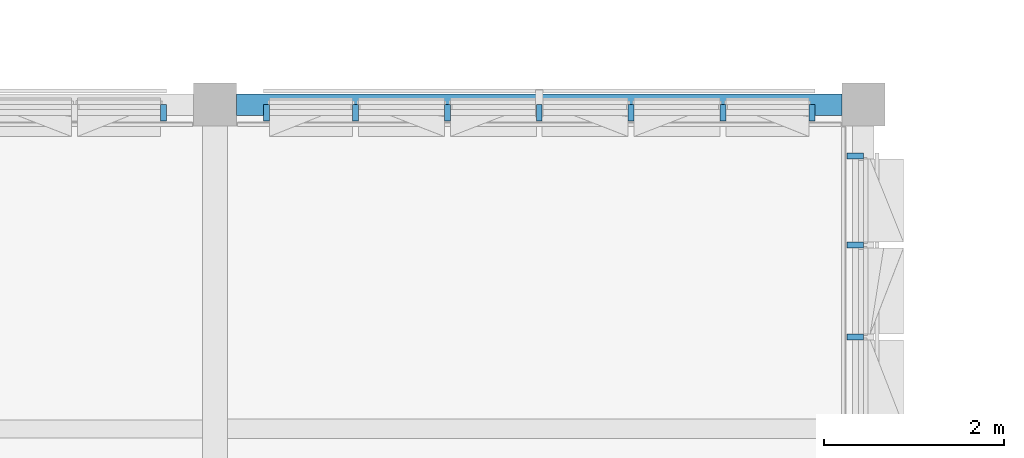
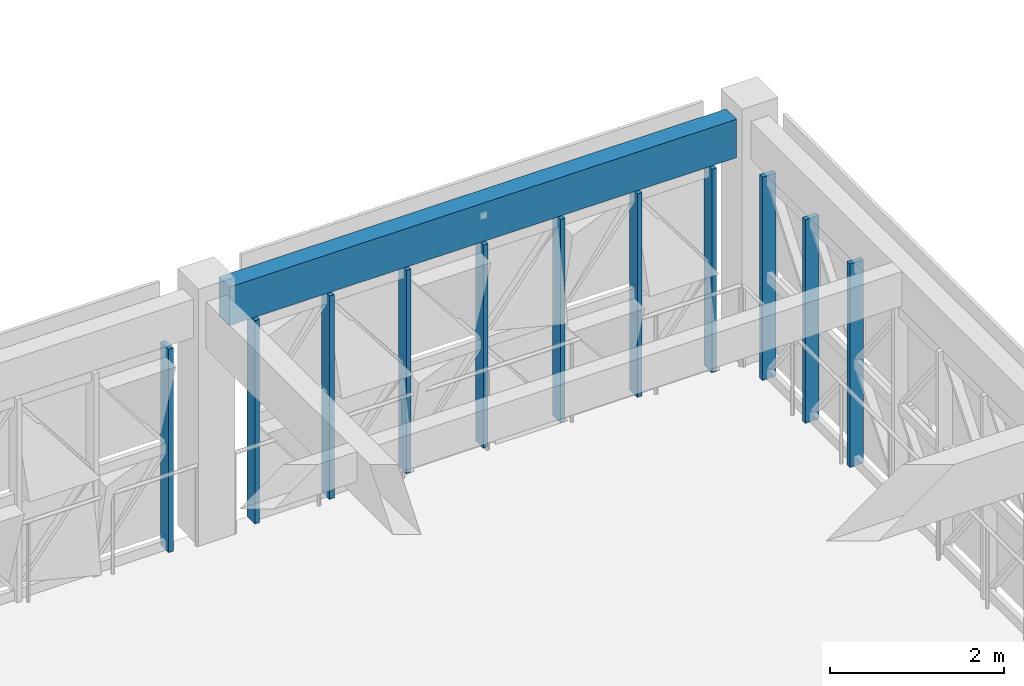
# One storey, part 11 of 48: 11 members, 1 beam, 3 elements without a shape of their own.
"""IFC4 building model written with IfcOpenShell, lengths in metres."""

from ifc_helpers import new_model, si_unit, direction, frame, origin, origin_2d, place, context, subcontext, project, spatial, rectangle, extrude, material, material_profile, profile_set, type_object, element, aggregate, save


model = new_model("IFC4")

# Units and contexts
model_context = context("Model", 3, precision=1e-05, world=origin(), true_north=direction((0.0, 1.0)))
body_context = subcontext(model_context, "Body", "Model", "MODEL_VIEW")
ifc_project = project(units=[si_unit("LENGTHUNIT", "METRE"), si_unit("AREAUNIT", "SQUARE_METRE"), si_unit("VOLUMEUNIT", "CUBIC_METRE"), si_unit("PLANEANGLEUNIT", "RADIAN"), si_unit("MASSUNIT", "GRAM", prefix="KILO")], contexts=[model_context])

# Site, building, storey
site_placement = place(None, origin())
site = spatial("IfcSite", under=ifc_project, at=site_placement, CompositionType="ELEMENT")
building_placement = place(site_placement, origin())
building = spatial("IfcBuilding", under=site, at=building_placement, Name="Alvorim Cloister Faculty of Sciences", CompositionType="ELEMENT")
storey_placement = place(building_placement, frame((0.0, 0.0, 19.35009765625)))
storey = spatial("IfcBuildingStorey", under=building, at=storey_placement, Name="L05", CompositionType="ELEMENT", Elevation=19.35009765625)

# Beam
ifc_material_1 = material(Name="Glulam GL28h", Category="wood")
ifc_material_profile_1 = material_profile(ifc_material_1, rectangle(XDim=0.239990234375, YDim=0.5400390625, at=origin_2d()), Name="GL28-SPD-240x540")
ifc_profile_set_1 = profile_set([ifc_material_profile_1], Name="Glulam GL28h")
beam_type = type_object("IfcBeamType", Name="BM-SPD-GL-240x540", PredefinedType="SPANDREL", material=ifc_profile_set_1)
beam_placement = place(storey_placement, frame((50.639892578125, 56.39990234375, 3.119873046875), z_axis=(1.0, 0.0, 0.0), x_axis=(0.0, 1.0, 0.0)))
element("IfcBeam", 1, at=beam_placement, inside=storey, type_object=beam_type, Name="L05 Primary Beam BM-1979", PredefinedType="SPANDREL", context=body_context, shape_type="SweptSolid", body=[
    extrude(rectangle(XDim=0.239990234375, YDim=0.5400390625, at=origin_2d()), origin(), (0.0, 0.0, 1.0), 6.72021484375),
])

# Curtain wall, member
ifc_material_2 = material(Name="Aluminium and Low-E Glass Curtain Wall", Category="aluminium")
curtain_wall_type = type_object("IfcCurtainWallType", Name="CW-TRI-6120x2850", PredefinedType="USERDEFINED", material=ifc_material_2)
curtain_wall_1_placement = place(storey_placement, origin())
curtain_wall_1 = element("IfcCurtainWall", 2, at=curtain_wall_1_placement, inside=storey, type_object=curtain_wall_type, Name="L05 Diagonal Cassette Curtain Wall CW-0225", ObjectType="UNITISED CURTAIN WALL", PredefinedType="USERDEFINED")
ifc_material_3 = material(Name="Aluminium Alloy 6063-T6", Category="aluminium")
ifc_material_profile_2 = material_profile(ifc_material_3, rectangle(XDim=0.06494140625, YDim=0.179931640625, at=origin_2d()), Name="ALU-MUL-65x180")
ifc_profile_set_2 = profile_set([ifc_material_profile_2], Name="Aluminium Alloy 6063-T6")
member_type = type_object("IfcMemberType", Name="CW-MUL-65x180", PredefinedType="MULLION", material=ifc_profile_set_2)
member_1_placement = place(storey_placement, frame((49.827392578125, 56.31005859375, 0.0), z_axis=(0.0, 0.0, 1.0), x_axis=(1.0, 0.0, 0.0)))
member_1 = element("IfcMember", 3, at=member_1_placement, type_object=member_type, Name="CW-0225 Mullion 7", PredefinedType="MULLION", context=body_context, shape_type="SweptSolid", body=[
    extrude(rectangle(XDim=0.06494140625, YDim=0.179931640625, at=origin_2d()), origin(), (0.0, 0.0, 1.0), 2.849853515625),
])
aggregate(curtain_wall_1, [member_1])

# Curtain wall, members
curtain_wall_2_placement = place(storey_placement, origin())
curtain_wall_2 = element("IfcCurtainWall", 4, at=curtain_wall_2_placement, inside=storey, type_object=curtain_wall_type, Name="L05 Diagonal Cassette Curtain Wall CW-0226", ObjectType="UNITISED CURTAIN WALL", PredefinedType="USERDEFINED")
member_2_placement = place(storey_placement, frame((50.972412109375, 56.31005859375, 0.0), z_axis=(0.0, 0.0, 1.0), x_axis=(1.0, 0.0, 0.0)))
member_2 = element("IfcMember", 5, at=member_2_placement, type_object=member_type, Name="CW-0226 Mullion 1", PredefinedType="MULLION", context=body_context, shape_type="SweptSolid", body=[
    extrude(rectangle(XDim=0.06494140625, YDim=0.179931640625, at=origin_2d()), origin(), (0.0, 0.0, 1.0), 2.849853515625),
])
member_3_placement = place(storey_placement, frame((51.9599609375, 56.31005859375, 0.0), z_axis=(0.0, 0.0, 1.0), x_axis=(1.0, 0.0, 0.0)))
member_3 = element("IfcMember", 6, at=member_3_placement, type_object=member_type, Name="CW-0226 Mullion 2", PredefinedType="MULLION", context=body_context, shape_type="SweptSolid", body=[
    extrude(rectangle(XDim=0.06494140625, YDim=0.179931640625, at=origin_2d()), origin(), (0.0, 0.0, 1.0), 2.849853515625),
])
member_4_placement = place(storey_placement, frame((52.97998046875, 56.31005859375, 0.0), z_axis=(0.0, 0.0, 1.0), x_axis=(1.0, 0.0, 0.0)))
member_4 = element("IfcMember", 7, at=member_4_placement, type_object=member_type, Name="CW-0226 Mullion 3", PredefinedType="MULLION", context=body_context, shape_type="SweptSolid", body=[
    extrude(rectangle(XDim=0.06494140625, YDim=0.179931640625, at=origin_2d()), origin(), (0.0, 0.0, 1.0), 2.849853515625),
])
member_5_placement = place(storey_placement, frame((54.0, 56.31005859375, 0.0), z_axis=(0.0, 0.0, 1.0), x_axis=(1.0, 0.0, 0.0)))
member_5 = element("IfcMember", 8, at=member_5_placement, type_object=member_type, Name="CW-0226 Mullion 4", PredefinedType="MULLION", context=body_context, shape_type="SweptSolid", body=[
    extrude(rectangle(XDim=0.06494140625, YDim=0.179931640625, at=origin_2d()), origin(), (0.0, 0.0, 1.0), 2.849853515625),
])
member_6_placement = place(storey_placement, frame((55.02001953125, 56.31005859375, 0.0), z_axis=(0.0, 0.0, 1.0), x_axis=(1.0, 0.0, 0.0)))
member_6 = element("IfcMember", 9, at=member_6_placement, type_object=member_type, Name="CW-0226 Mullion 5", PredefinedType="MULLION", context=body_context, shape_type="SweptSolid", body=[
    extrude(rectangle(XDim=0.06494140625, YDim=0.179931640625, at=origin_2d()), origin(), (0.0, 0.0, 1.0), 2.849853515625),
])
member_7_placement = place(storey_placement, frame((56.0400390625, 56.31005859375, 0.0), z_axis=(0.0, 0.0, 1.0), x_axis=(1.0, 0.0, 0.0)))
member_7 = element("IfcMember", 10, at=member_7_placement, type_object=member_type, Name="CW-0226 Mullion 6", PredefinedType="MULLION", context=body_context, shape_type="SweptSolid", body=[
    extrude(rectangle(XDim=0.06494140625, YDim=0.179931640625, at=origin_2d()), origin(), (0.0, 0.0, 1.0), 2.849853515625),
])
member_8_placement = place(storey_placement, frame((57.027587890625, 56.31005859375, 0.0), z_axis=(0.0, 0.0, 1.0), x_axis=(1.0, 0.0, 0.0)))
member_8 = element("IfcMember", 11, at=member_8_placement, type_object=member_type, Name="CW-0226 Mullion 7", PredefinedType="MULLION", context=body_context, shape_type="SweptSolid", body=[
    extrude(rectangle(XDim=0.06494140625, YDim=0.179931640625, at=origin_2d()), origin(), (0.0, 0.0, 1.0), 2.849853515625),
])
aggregate(curtain_wall_2, [member_2, member_3, member_4, member_5, member_6, member_7, member_8])

curtain_wall_3_placement = place(storey_placement, origin())
curtain_wall_3 = element("IfcCurtainWall", 12, at=curtain_wall_3_placement, inside=storey, type_object=curtain_wall_type, Name="L05 Diagonal Cassette Curtain Wall CW-0227", ObjectType="UNITISED CURTAIN WALL", PredefinedType="USERDEFINED")
member_9_placement = place(storey_placement, frame((57.510009765625, 53.820068359375, 0.0), z_axis=(0.0, 0.0, 1.0), x_axis=(0.0, 1.0, 0.0)))
member_9 = element("IfcMember", 13, at=member_9_placement, type_object=member_type, Name="CW-0227 Mullion 5", PredefinedType="MULLION", context=body_context, shape_type="SweptSolid", body=[
    extrude(rectangle(XDim=0.06494140625, YDim=0.179931640625, at=origin_2d()), origin(), (0.0, 0.0, 1.0), 2.849853515625),
])
member_10_placement = place(storey_placement, frame((57.510009765625, 54.840087890625, 0.0), z_axis=(0.0, 0.0, 1.0), x_axis=(0.0, 1.0, 0.0)))
member_10 = element("IfcMember", 14, at=member_10_placement, type_object=member_type, Name="CW-0227 Mullion 6", PredefinedType="MULLION", context=body_context, shape_type="SweptSolid", body=[
    extrude(rectangle(XDim=0.06494140625, YDim=0.179931640625, at=origin_2d()), origin(), (0.0, 0.0, 1.0), 2.849853515625),
])
member_11_placement = place(storey_placement, frame((57.510009765625, 55.827392578125, 0.0), z_axis=(0.0, 0.0, 1.0), x_axis=(0.0, 1.0, 0.0)))
member_11 = element("IfcMember", 15, at=member_11_placement, type_object=member_type, Name="CW-0227 Mullion 7", PredefinedType="MULLION", context=body_context, shape_type="SweptSolid", body=[
    extrude(rectangle(XDim=0.06494140625, YDim=0.179931640625, at=origin_2d()), origin(), (0.0, 0.0, 1.0), 2.849853515625),
])
aggregate(curtain_wall_3, [member_9, member_10, member_11])

save(model, "model.ifc")
